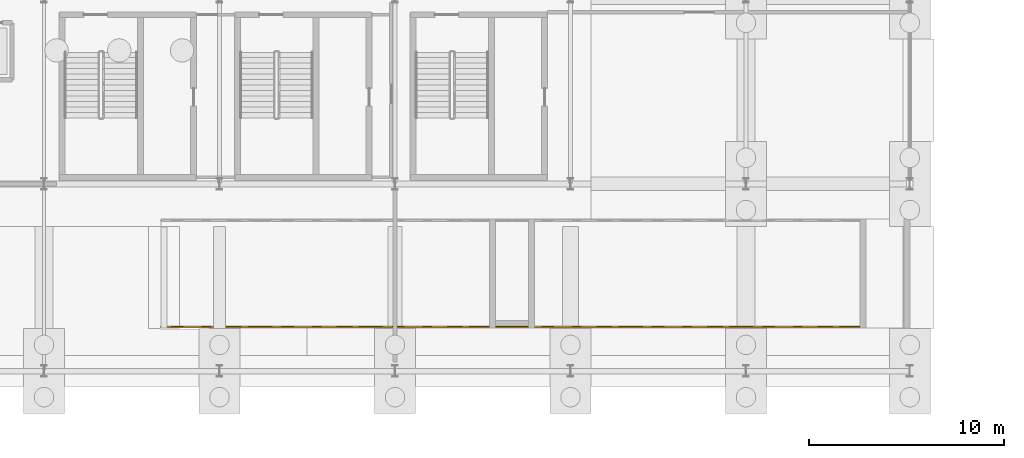
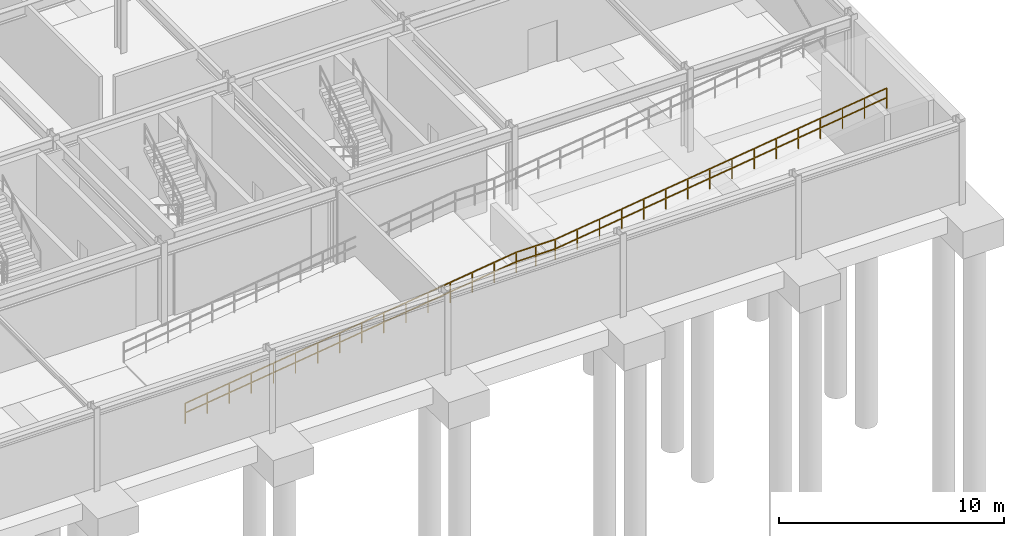
# One storey, part 54 of 59: 1 railing.
"""IFC4 building model written with IfcOpenShell, lengths in metres."""

from ifc_helpers import new_model, si_unit, direction, frame, origin, origin_2d, place, context, subcontext, project, spatial, rectangle, extrude, material, type_object, element, save


model = new_model("IFC4")

# Units and contexts
model_context = context("Model", 3, precision=1e-05, world=origin(), true_north=direction((0.0, 1.0)))
body_context = subcontext(model_context, "Body", "Model", "MODEL_VIEW")
ifc_project = project(units=[si_unit("LENGTHUNIT", "METRE"), si_unit("AREAUNIT", "SQUARE_METRE"), si_unit("VOLUMEUNIT", "CUBIC_METRE"), si_unit("PLANEANGLEUNIT", "RADIAN"), si_unit("MASSUNIT", "GRAM", prefix="KILO")], contexts=[model_context])

# Site, building, storey
site_placement = place(None, origin())
site = spatial("IfcSite", under=ifc_project, at=site_placement, CompositionType="ELEMENT")
building_placement = place(site_placement, origin())
building = spatial("IfcBuilding", under=site, at=building_placement, Name="Myrtia Square Station", CompositionType="ELEMENT")
storey_placement = place(building_placement, frame((0.0, 0.0, -4.5)))
storey = spatial("IfcBuildingStorey", under=building, at=storey_placement, Name="B01", CompositionType="ELEMENT", Elevation=-4.5)

# Railing
ifc_material = material(Name="Wrought iron", Category="steel")
railing_type = type_object("IfcRailingType", Name="RL-INT-GUARD-1100", PredefinedType="BALUSTRADE", material=ifc_material)
railing_placement = place(storey_placement, frame((141.0, 2.280029296875, 0.0)))
element("IfcRailing", 1, at=railing_placement, inside=storey, type_object=railing_type, Name="Vehicle ramp VR1 side guard S", PredefinedType="BALUSTRADE", context=body_context, shape_type="SweptSolid", body=[
    extrude(rectangle(XDim=0.048095703125, YDim=0.048095703125, at=origin_2d()), frame((0.034423828125, 0.0, 1.1005859375), z_axis=(0.99135476599, 0.0, 0.131208719028), x_axis=(0.0, 1.0, 0.0)), (0.0, 0.0, 1.0), 1.073974609375),
    extrude(rectangle(XDim=0.048095703125, YDim=0.048095703125, at=origin_2d()), frame((0.034423828125, 0.0, 0.5869140625), z_axis=(0.99135476599, 0.0, 0.131208719028), x_axis=(0.0, 1.0, 0.0)), (0.0, 0.0, 1.0), 1.073974609375),
    extrude(rectangle(XDim=0.048095703125, YDim=0.048095703125, at=origin_2d()), frame((1.167724609375, 0.0, 1.250732421875), z_axis=(0.99135476599, 0.0, 0.131208719028), x_axis=(0.0, 1.0, 0.0)), (0.0, 0.0, 1.0), 1.073974609375),
    extrude(rectangle(XDim=0.048095703125, YDim=0.048095703125, at=origin_2d()), frame((1.167724609375, 0.0, 0.737060546875), z_axis=(0.99135476599, 0.0, 0.131208719028), x_axis=(0.0, 1.0, 0.0)), (0.0, 0.0, 1.0), 1.073974609375),
    extrude(rectangle(XDim=0.048095703125, YDim=0.048095703125, at=origin_2d()), frame((2.301025390625, 0.0, 1.400634765625), z_axis=(0.99135476599, 0.0, 0.131208719028), x_axis=(0.0, 1.0, 0.0)), (0.0, 0.0, 1.0), 1.073974609375),
    extrude(rectangle(XDim=0.048095703125, YDim=0.048095703125, at=origin_2d()), frame((2.301025390625, 0.0, 0.886962890625), z_axis=(0.99135476599, 0.0, 0.131208719028), x_axis=(0.0, 1.0, 0.0)), (0.0, 0.0, 1.0), 1.073974609375),
    extrude(rectangle(XDim=0.048095703125, YDim=0.048095703125, at=origin_2d()), frame((3.434326171875, 0.0, 1.550537109375), z_axis=(0.99135476599, 0.0, 0.131208719028), x_axis=(0.0, 1.0, 0.0)), (0.0, 0.0, 1.0), 1.073974609375),
    extrude(rectangle(XDim=0.048095703125, YDim=0.048095703125, at=origin_2d()), frame((3.434326171875, 0.0, 1.037109375), z_axis=(0.99135476599, 0.0, 0.131208719028), x_axis=(0.0, 1.0, 0.0)), (0.0, 0.0, 1.0), 1.073974609375),
    extrude(rectangle(XDim=0.048095703125, YDim=0.048095703125, at=origin_2d()), frame((4.567626953125, 0.0, 1.70068359375), z_axis=(0.99135476599, 0.0, 0.131208719028), x_axis=(0.0, 1.0, 0.0)), (0.0, 0.0, 1.0), 1.073974609375),
    extrude(rectangle(XDim=0.048095703125, YDim=0.048095703125, at=origin_2d()), frame((4.567626953125, 0.0, 1.18701171875), z_axis=(0.99135476599, 0.0, 0.131208719028), x_axis=(0.0, 1.0, 0.0)), (0.0, 0.0, 1.0), 1.073974609375),
    extrude(rectangle(XDim=0.048095703125, YDim=0.048095703125, at=origin_2d()), frame((5.700927734375, 0.0, 1.8505859375), z_axis=(0.99135476599, 0.0, 0.131208719028), x_axis=(0.0, 1.0, 0.0)), (0.0, 0.0, 1.0), 1.073974609375),
    extrude(rectangle(XDim=0.048095703125, YDim=0.048095703125, at=origin_2d()), frame((5.700927734375, 0.0, 1.3369140625), z_axis=(0.99135476599, 0.0, 0.131208719028), x_axis=(0.0, 1.0, 0.0)), (0.0, 0.0, 1.0), 1.073974609375),
    extrude(rectangle(XDim=0.048095703125, YDim=0.048095703125, at=origin_2d()), frame((6.834228515625, 0.0, 2.000732421875), z_axis=(0.99135476599, 0.0, 0.131208719028), x_axis=(0.0, 1.0, 0.0)), (0.0, 0.0, 1.0), 1.073974609375),
    extrude(rectangle(XDim=0.048095703125, YDim=0.048095703125, at=origin_2d()), frame((6.834228515625, 0.0, 1.487060546875), z_axis=(0.99135476599, 0.0, 0.131208719028), x_axis=(0.0, 1.0, 0.0)), (0.0, 0.0, 1.0), 1.073974609375),
    extrude(rectangle(XDim=0.048095703125, YDim=0.048095703125, at=origin_2d()), frame((7.9677734375, 0.0, 2.150634765625), z_axis=(0.99135476599, 0.0, 0.131208719028), x_axis=(0.0, 1.0, 0.0)), (0.0, 0.0, 1.0), 1.073974609375),
    extrude(rectangle(XDim=0.048095703125, YDim=0.048095703125, at=origin_2d()), frame((7.9677734375, 0.0, 1.636962890625), z_axis=(0.99135476599, 0.0, 0.131208719028), x_axis=(0.0, 1.0, 0.0)), (0.0, 0.0, 1.0), 1.073974609375),
    extrude(rectangle(XDim=0.048095703125, YDim=0.048095703125, at=origin_2d()), frame((9.10107421875, 0.0, 2.300537109375), z_axis=(0.99135476599, 0.0, 0.131208719028), x_axis=(0.0, 1.0, 0.0)), (0.0, 0.0, 1.0), 1.073974609375),
    extrude(rectangle(XDim=0.048095703125, YDim=0.048095703125, at=origin_2d()), frame((9.10107421875, 0.0, 1.787109375), z_axis=(0.99135476599, 0.0, 0.131208719028), x_axis=(0.0, 1.0, 0.0)), (0.0, 0.0, 1.0), 1.073974609375),
    extrude(rectangle(XDim=0.048095703125, YDim=0.048095703125, at=origin_2d()), frame((10.234375, 0.0, 2.45068359375), z_axis=(0.99135476599, 0.0, 0.131208719028), x_axis=(0.0, 1.0, 0.0)), (0.0, 0.0, 1.0), 1.073974609375),
    extrude(rectangle(XDim=0.048095703125, YDim=0.048095703125, at=origin_2d()), frame((10.234375, 0.0, 1.93701171875), z_axis=(0.99135476599, 0.0, 0.131208719028), x_axis=(0.0, 1.0, 0.0)), (0.0, 0.0, 1.0), 1.073974609375),
    extrude(rectangle(XDim=0.048095703125, YDim=0.048095703125, at=origin_2d()), frame((11.36767578125, 0.0, 2.6005859375), z_axis=(0.99135476599, 0.0, 0.131208719028), x_axis=(0.0, 1.0, 0.0)), (0.0, 0.0, 1.0), 1.073974609375),
    extrude(rectangle(XDim=0.048095703125, YDim=0.048095703125, at=origin_2d()), frame((11.36767578125, 0.0, 2.0869140625), z_axis=(0.99135476599, 0.0, 0.131208719028), x_axis=(0.0, 1.0, 0.0)), (0.0, 0.0, 1.0), 1.073974609375),
    extrude(rectangle(XDim=0.048095703125, YDim=0.048095703125, at=origin_2d()), frame((12.5009765625, 0.0, 2.750732421875), z_axis=(0.99135476599, 0.0, 0.131208719028), x_axis=(0.0, 1.0, 0.0)), (0.0, 0.0, 1.0), 1.073974609375),
    extrude(rectangle(XDim=0.048095703125, YDim=0.048095703125, at=origin_2d()), frame((12.5009765625, 0.0, 2.237060546875), z_axis=(0.99135476599, 0.0, 0.131208719028), x_axis=(0.0, 1.0, 0.0)), (0.0, 0.0, 1.0), 1.073974609375),
    extrude(rectangle(XDim=0.048095703125, YDim=0.048095703125, at=origin_2d()), frame((13.63427734375, 0.0, 2.900634765625), z_axis=(0.99135476599, 0.0, 0.131208719028), x_axis=(0.0, 1.0, 0.0)), (0.0, 0.0, 1.0), 1.073974609375),
    extrude(rectangle(XDim=0.048095703125, YDim=0.048095703125, at=origin_2d()), frame((13.63427734375, 0.0, 2.386962890625), z_axis=(0.99135476599, 0.0, 0.131208719028), x_axis=(0.0, 1.0, 0.0)), (0.0, 0.0, 1.0), 1.073974609375),
    extrude(rectangle(XDim=0.048095703125, YDim=0.048095703125, at=origin_2d()), frame((14.767578125, 0.0, 3.050537109375), z_axis=(0.99135476599, 0.0, 0.131208719028), x_axis=(0.0, 1.0, 0.0)), (0.0, 0.0, 1.0), 1.073974609375),
    extrude(rectangle(XDim=0.048095703125, YDim=0.048095703125, at=origin_2d()), frame((14.767578125, 0.0, 2.537109375), z_axis=(0.99135476599, 0.0, 0.131208719028), x_axis=(0.0, 1.0, 0.0)), (0.0, 0.0, 1.0), 1.073974609375),
    extrude(rectangle(XDim=0.048095703125, YDim=0.048095703125, at=origin_2d()), frame((15.901123046875, 0.0, 3.20068359375), z_axis=(0.99135476599, 0.0, 0.131208719028), x_axis=(0.0, 1.0, 0.0)), (0.0, 0.0, 1.0), 1.073974609375),
    extrude(rectangle(XDim=0.048095703125, YDim=0.048095703125, at=origin_2d()), frame((15.901123046875, 0.0, 2.68701171875), z_axis=(0.99135476599, 0.0, 0.131208719028), x_axis=(0.0, 1.0, 0.0)), (0.0, 0.0, 1.0), 1.073974609375),
    extrude(rectangle(XDim=0.048095703125, YDim=0.048095703125, at=origin_2d()), frame((17.03466796875, 0.0, 3.34619140625), z_axis=(1.0, 0.0, 0.0), x_axis=(0.0, 1.0, 0.0)), (0.0, 0.0, 1.0), 0.9306640625),
    extrude(rectangle(XDim=0.048095703125, YDim=0.048095703125, at=origin_2d()), frame((17.03466796875, 0.0, 2.83251953125), z_axis=(1.0, 0.0, 0.0), x_axis=(0.0, 1.0, 0.0)), (0.0, 0.0, 1.0), 0.9306640625),
    extrude(rectangle(XDim=0.048095703125, YDim=0.048095703125, at=origin_2d()), frame((18.03466796875, 0.0, 3.34619140625), z_axis=(1.0, 0.0, 0.0), x_axis=(0.0, 1.0, 0.0)), (0.0, 0.0, 1.0), 0.9306640625),
    extrude(rectangle(XDim=0.048095703125, YDim=0.048095703125, at=origin_2d()), frame((18.03466796875, 0.0, 2.83251953125), z_axis=(1.0, 0.0, 0.0), x_axis=(0.0, 1.0, 0.0)), (0.0, 0.0, 1.0), 0.9306640625),
    extrude(rectangle(XDim=0.048095703125, YDim=0.048095703125, at=origin_2d()), frame((19.034423828125, 0.0, 3.3505859375), z_axis=(0.99135476599, 0.0, 0.131208719028), x_axis=(0.0, 1.0, 0.0)), (0.0, 0.0, 1.0), 1.073974609375),
    extrude(rectangle(XDim=0.048095703125, YDim=0.048095703125, at=origin_2d()), frame((19.034423828125, 0.0, 2.8369140625), z_axis=(0.99135476599, 0.0, 0.131208719028), x_axis=(0.0, 1.0, 0.0)), (0.0, 0.0, 1.0), 1.073974609375),
    extrude(rectangle(XDim=0.048095703125, YDim=0.048095703125, at=origin_2d()), frame((20.167724609375, 0.0, 3.500732421875), z_axis=(0.99135476599, 0.0, 0.131208719028), x_axis=(0.0, 1.0, 0.0)), (0.0, 0.0, 1.0), 1.073974609375),
    extrude(rectangle(XDim=0.048095703125, YDim=0.048095703125, at=origin_2d()), frame((20.167724609375, 0.0, 2.987060546875), z_axis=(0.99135476599, 0.0, 0.131208719028), x_axis=(0.0, 1.0, 0.0)), (0.0, 0.0, 1.0), 1.073974609375),
    extrude(rectangle(XDim=0.048095703125, YDim=0.048095703125, at=origin_2d()), frame((21.301025390625, 0.0, 3.650634765625), z_axis=(0.99135476599, 0.0, 0.131208719028), x_axis=(0.0, 1.0, 0.0)), (0.0, 0.0, 1.0), 1.073974609375),
    extrude(rectangle(XDim=0.048095703125, YDim=0.048095703125, at=origin_2d()), frame((21.301025390625, 0.0, 3.136962890625), z_axis=(0.99135476599, 0.0, 0.131208719028), x_axis=(0.0, 1.0, 0.0)), (0.0, 0.0, 1.0), 1.073974609375),
    extrude(rectangle(XDim=0.048095703125, YDim=0.048095703125, at=origin_2d()), frame((22.434326171875, 0.0, 3.800537109375), z_axis=(0.99135476599, 0.0, 0.131208719028), x_axis=(0.0, 1.0, 0.0)), (0.0, 0.0, 1.0), 1.073974609375),
    extrude(rectangle(XDim=0.048095703125, YDim=0.048095703125, at=origin_2d()), frame((22.434326171875, 0.0, 3.287109375), z_axis=(0.99135476599, 0.0, 0.131208719028), x_axis=(0.0, 1.0, 0.0)), (0.0, 0.0, 1.0), 1.073974609375),
    extrude(rectangle(XDim=0.048095703125, YDim=0.048095703125, at=origin_2d()), frame((23.567626953125, 0.0, 3.95068359375), z_axis=(0.99135476599, 0.0, 0.131208719028), x_axis=(0.0, 1.0, 0.0)), (0.0, 0.0, 1.0), 1.073974609375),
    extrude(rectangle(XDim=0.048095703125, YDim=0.048095703125, at=origin_2d()), frame((23.567626953125, 0.0, 3.43701171875), z_axis=(0.99135476599, 0.0, 0.131208719028), x_axis=(0.0, 1.0, 0.0)), (0.0, 0.0, 1.0), 1.073974609375),
    extrude(rectangle(XDim=0.048095703125, YDim=0.048095703125, at=origin_2d()), frame((24.700927734375, 0.0, 4.1005859375), z_axis=(0.99135476599, 0.0, 0.131208719028), x_axis=(0.0, 1.0, 0.0)), (0.0, 0.0, 1.0), 1.073974609375),
    extrude(rectangle(XDim=0.048095703125, YDim=0.048095703125, at=origin_2d()), frame((24.700927734375, 0.0, 3.5869140625), z_axis=(0.99135476599, 0.0, 0.131208719028), x_axis=(0.0, 1.0, 0.0)), (0.0, 0.0, 1.0), 1.073974609375),
    extrude(rectangle(XDim=0.048095703125, YDim=0.048095703125, at=origin_2d()), frame((25.834228515625, 0.0, 4.250732421875), z_axis=(0.99135476599, 0.0, 0.131208719028), x_axis=(0.0, 1.0, 0.0)), (0.0, 0.0, 1.0), 1.073974609375),
    extrude(rectangle(XDim=0.048095703125, YDim=0.048095703125, at=origin_2d()), frame((25.834228515625, 0.0, 3.737060546875), z_axis=(0.99135476599, 0.0, 0.131208719028), x_axis=(0.0, 1.0, 0.0)), (0.0, 0.0, 1.0), 1.073974609375),
    extrude(rectangle(XDim=0.048095703125, YDim=0.048095703125, at=origin_2d()), frame((26.9677734375, 0.0, 4.400634765625), z_axis=(0.99135476599, 0.0, 0.131208719028), x_axis=(0.0, 1.0, 0.0)), (0.0, 0.0, 1.0), 1.073974609375),
    extrude(rectangle(XDim=0.048095703125, YDim=0.048095703125, at=origin_2d()), frame((26.9677734375, 0.0, 3.886962890625), z_axis=(0.99135476599, 0.0, 0.131208719028), x_axis=(0.0, 1.0, 0.0)), (0.0, 0.0, 1.0), 1.073974609375),
    extrude(rectangle(XDim=0.048095703125, YDim=0.048095703125, at=origin_2d()), frame((28.10107421875, 0.0, 4.550537109375), z_axis=(0.99135476599, 0.0, 0.131208719028), x_axis=(0.0, 1.0, 0.0)), (0.0, 0.0, 1.0), 1.073974609375),
    extrude(rectangle(XDim=0.048095703125, YDim=0.048095703125, at=origin_2d()), frame((28.10107421875, 0.0, 4.037109375), z_axis=(0.99135476599, 0.0, 0.131208719028), x_axis=(0.0, 1.0, 0.0)), (0.0, 0.0, 1.0), 1.073974609375),
    extrude(rectangle(XDim=0.048095703125, YDim=0.048095703125, at=origin_2d()), frame((29.234375, 0.0, 4.70068359375), z_axis=(0.99135476599, 0.0, 0.131208719028), x_axis=(0.0, 1.0, 0.0)), (0.0, 0.0, 1.0), 1.073974609375),
    extrude(rectangle(XDim=0.048095703125, YDim=0.048095703125, at=origin_2d()), frame((29.234375, 0.0, 4.18701171875), z_axis=(0.99135476599, 0.0, 0.131208719028), x_axis=(0.0, 1.0, 0.0)), (0.0, 0.0, 1.0), 1.073974609375),
    extrude(rectangle(XDim=0.048095703125, YDim=0.048095703125, at=origin_2d()), frame((30.36767578125, 0.0, 4.8505859375), z_axis=(0.99135476599, 0.0, 0.131208719028), x_axis=(0.0, 1.0, 0.0)), (0.0, 0.0, 1.0), 1.073974609375),
    extrude(rectangle(XDim=0.048095703125, YDim=0.048095703125, at=origin_2d()), frame((30.36767578125, 0.0, 4.3369140625), z_axis=(0.99135476599, 0.0, 0.131208719028), x_axis=(0.0, 1.0, 0.0)), (0.0, 0.0, 1.0), 1.073974609375),
    extrude(rectangle(XDim=0.048095703125, YDim=0.048095703125, at=origin_2d()), frame((31.5009765625, 0.0, 5.000732421875), z_axis=(0.99135476599, 0.0, 0.131208719028), x_axis=(0.0, 1.0, 0.0)), (0.0, 0.0, 1.0), 1.073974609375),
    extrude(rectangle(XDim=0.048095703125, YDim=0.048095703125, at=origin_2d()), frame((31.5009765625, 0.0, 4.487060546875), z_axis=(0.99135476599, 0.0, 0.131208719028), x_axis=(0.0, 1.0, 0.0)), (0.0, 0.0, 1.0), 1.073974609375),
    extrude(rectangle(XDim=0.048095703125, YDim=0.048095703125, at=origin_2d()), frame((32.63427734375, 0.0, 5.150634765625), z_axis=(0.99135476599, 0.0, 0.131208719028), x_axis=(0.0, 1.0, 0.0)), (0.0, 0.0, 1.0), 1.073974609375),
    extrude(rectangle(XDim=0.048095703125, YDim=0.048095703125, at=origin_2d()), frame((32.63427734375, 0.0, 4.636962890625), z_axis=(0.99135476599, 0.0, 0.131208719028), x_axis=(0.0, 1.0, 0.0)), (0.0, 0.0, 1.0), 1.073974609375),
    extrude(rectangle(XDim=0.048095703125, YDim=0.048095703125, at=origin_2d()), frame((33.767578125, 0.0, 5.300537109375), z_axis=(0.99135476599, 0.0, 0.131208719028), x_axis=(0.0, 1.0, 0.0)), (0.0, 0.0, 1.0), 1.073974609375),
    extrude(rectangle(XDim=0.048095703125, YDim=0.048095703125, at=origin_2d()), frame((33.767578125, 0.0, 4.787109375), z_axis=(0.99135476599, 0.0, 0.131208719028), x_axis=(0.0, 1.0, 0.0)), (0.0, 0.0, 1.0), 1.073974609375),
    extrude(rectangle(XDim=0.048095703125, YDim=0.048095703125, at=origin_2d()), frame((34.901123046875, 0.0, 5.45068359375), z_axis=(0.99135476599, 0.0, 0.131208719028), x_axis=(0.0, 1.0, 0.0)), (0.0, 0.0, 1.0), 1.073974609375),
    extrude(rectangle(XDim=0.048095703125, YDim=0.048095703125, at=origin_2d()), frame((34.901123046875, 0.0, 4.93701171875), z_axis=(0.99135476599, 0.0, 0.131208719028), x_axis=(0.0, 1.0, 0.0)), (0.0, 0.0, 1.0), 1.073974609375),
    extrude(rectangle(XDim=0.0439453125, YDim=0.0439453125, at=origin_2d()), origin(), (0.0, 0.0, 1.0), 1.1201171875),
    extrude(rectangle(XDim=0.0439453125, YDim=0.0439453125, at=origin_2d()), frame((1.13330078125, 0.0, 0.14990234375)), (0.0, 0.0, 1.0), 1.1201171875),
    extrude(rectangle(XDim=0.0439453125, YDim=0.0439453125, at=origin_2d()), frame((2.2666015625, 0.0, 0.300048828125)), (0.0, 0.0, 1.0), 1.1201171875),
    extrude(rectangle(XDim=0.0439453125, YDim=0.0439453125, at=origin_2d()), frame((3.39990234375, 0.0, 0.449951171875)), (0.0, 0.0, 1.0), 1.1201171875),
    extrude(rectangle(XDim=0.0439453125, YDim=0.0439453125, at=origin_2d()), frame((4.533447265625, 0.0, 0.60009765625)), (0.0, 0.0, 1.0), 1.1201171875),
    extrude(rectangle(XDim=0.0439453125, YDim=0.0439453125, at=origin_2d()), frame((5.666748046875, 0.0, 0.75)), (0.0, 0.0, 1.0), 1.1201171875),
    extrude(rectangle(XDim=0.0439453125, YDim=0.0439453125, at=origin_2d()), frame((6.800048828125, 0.0, 0.89990234375)), (0.0, 0.0, 1.0), 1.1201171875),
    extrude(rectangle(XDim=0.0439453125, YDim=0.0439453125, at=origin_2d()), frame((7.933349609375, 0.0, 1.050048828125)), (0.0, 0.0, 1.0), 1.1201171875),
    extrude(rectangle(XDim=0.0439453125, YDim=0.0439453125, at=origin_2d()), frame((9.066650390625, 0.0, 1.199951171875)), (0.0, 0.0, 1.0), 1.1201171875),
    extrude(rectangle(XDim=0.0439453125, YDim=0.0439453125, at=origin_2d()), frame((10.199951171875, 0.0, 1.35009765625)), (0.0, 0.0, 1.0), 1.1201171875),
    extrude(rectangle(XDim=0.0439453125, YDim=0.0439453125, at=origin_2d()), frame((11.333251953125, 0.0, 1.5)), (0.0, 0.0, 1.0), 1.1201171875),
    extrude(rectangle(XDim=0.0439453125, YDim=0.0439453125, at=origin_2d()), frame((12.466552734375, 0.0, 1.64990234375)), (0.0, 0.0, 1.0), 1.1201171875),
    extrude(rectangle(XDim=0.0439453125, YDim=0.0439453125, at=origin_2d()), frame((13.60009765625, 0.0, 1.800048828125)), (0.0, 0.0, 1.0), 1.1201171875),
    extrude(rectangle(XDim=0.0439453125, YDim=0.0439453125, at=origin_2d()), frame((14.7333984375, 0.0, 1.949951171875)), (0.0, 0.0, 1.0), 1.1201171875),
    extrude(rectangle(XDim=0.0439453125, YDim=0.0439453125, at=origin_2d()), frame((15.86669921875, 0.0, 2.10009765625)), (0.0, 0.0, 1.0), 1.1201171875),
    extrude(rectangle(XDim=0.0439453125, YDim=0.0439453125, at=origin_2d()), frame((17.0, 0.0, 2.25)), (0.0, 0.0, 1.0), 1.1201171875),
    extrude(rectangle(XDim=0.0439453125, YDim=0.0439453125, at=origin_2d()), frame((18.0, 0.0, 2.25)), (0.0, 0.0, 1.0), 1.1201171875),
    extrude(rectangle(XDim=0.0439453125, YDim=0.0439453125, at=origin_2d()), frame((19.0, 0.0, 2.25)), (0.0, 0.0, 1.0), 1.1201171875),
    extrude(rectangle(XDim=0.0439453125, YDim=0.0439453125, at=origin_2d()), frame((20.13330078125, 0.0, 2.39990234375)), (0.0, 0.0, 1.0), 1.1201171875),
    extrude(rectangle(XDim=0.0439453125, YDim=0.0439453125, at=origin_2d()), frame((21.2666015625, 0.0, 2.550048828125)), (0.0, 0.0, 1.0), 1.1201171875),
    extrude(rectangle(XDim=0.0439453125, YDim=0.0439453125, at=origin_2d()), frame((22.39990234375, 0.0, 2.699951171875)), (0.0, 0.0, 1.0), 1.1201171875),
    extrude(rectangle(XDim=0.0439453125, YDim=0.0439453125, at=origin_2d()), frame((23.533447265625, 0.0, 2.85009765625)), (0.0, 0.0, 1.0), 1.1201171875),
    extrude(rectangle(XDim=0.0439453125, YDim=0.0439453125, at=origin_2d()), frame((24.666748046875, 0.0, 3.0)), (0.0, 0.0, 1.0), 1.1201171875),
    extrude(rectangle(XDim=0.0439453125, YDim=0.0439453125, at=origin_2d()), frame((25.800048828125, 0.0, 3.14990234375)), (0.0, 0.0, 1.0), 1.1201171875),
    extrude(rectangle(XDim=0.0439453125, YDim=0.0439453125, at=origin_2d()), frame((26.933349609375, 0.0, 3.300048828125)), (0.0, 0.0, 1.0), 1.1201171875),
    extrude(rectangle(XDim=0.0439453125, YDim=0.0439453125, at=origin_2d()), frame((28.066650390625, 0.0, 3.449951171875)), (0.0, 0.0, 1.0), 1.1201171875),
    extrude(rectangle(XDim=0.0439453125, YDim=0.0439453125, at=origin_2d()), frame((29.199951171875, 0.0, 3.60009765625)), (0.0, 0.0, 1.0), 1.1201171875),
    extrude(rectangle(XDim=0.0439453125, YDim=0.0439453125, at=origin_2d()), frame((30.333251953125, 0.0, 3.75)), (0.0, 0.0, 1.0), 1.1201171875),
    extrude(rectangle(XDim=0.0439453125, YDim=0.0439453125, at=origin_2d()), frame((31.466552734375, 0.0, 3.89990234375)), (0.0, 0.0, 1.0), 1.1201171875),
    extrude(rectangle(XDim=0.0439453125, YDim=0.0439453125, at=origin_2d()), frame((32.60009765625, 0.0, 4.050048828125)), (0.0, 0.0, 1.0), 1.1201171875),
    extrude(rectangle(XDim=0.0439453125, YDim=0.0439453125, at=origin_2d()), frame((33.7333984375, 0.0, 4.199951171875)), (0.0, 0.0, 1.0), 1.1201171875),
    extrude(rectangle(XDim=0.0439453125, YDim=0.0439453125, at=origin_2d()), frame((34.86669921875, 0.0, 4.35009765625)), (0.0, 0.0, 1.0), 1.1201171875),
    extrude(rectangle(XDim=0.0439453125, YDim=0.0439453125, at=origin_2d()), frame((36.0, 0.0, 4.5)), (0.0, 0.0, 1.0), 1.1201171875),
])

save(model, "model.ifc")
